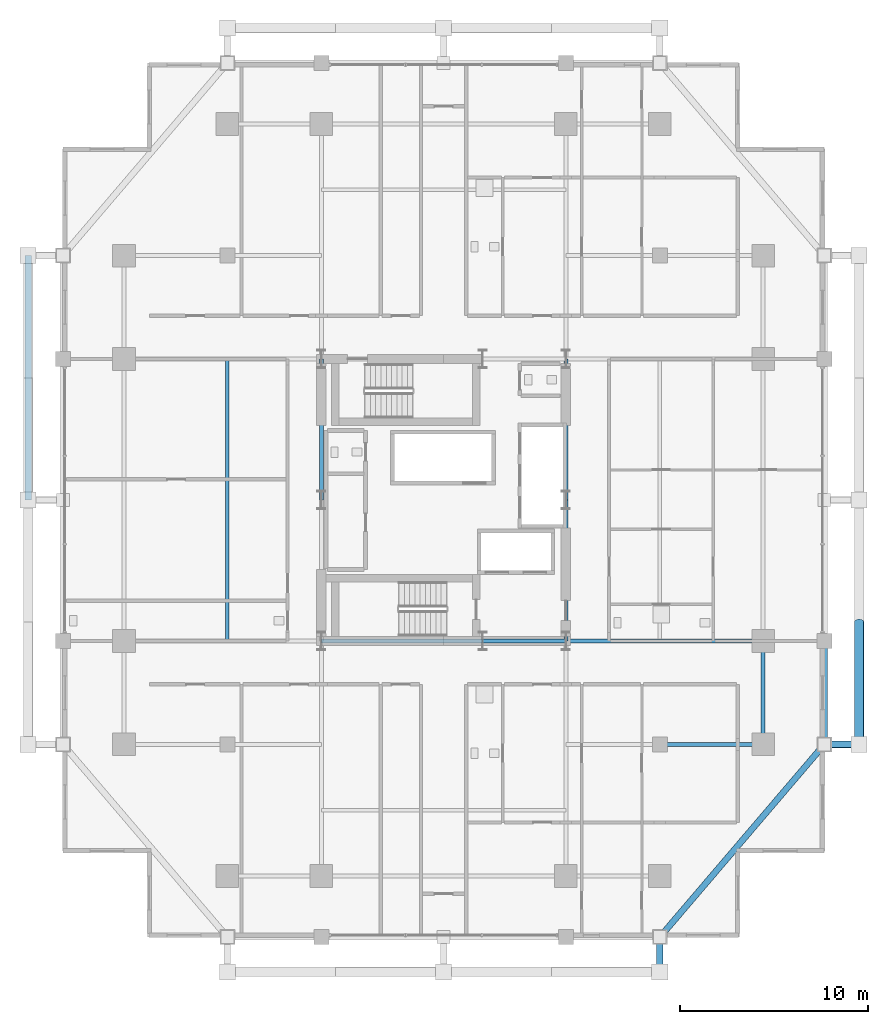
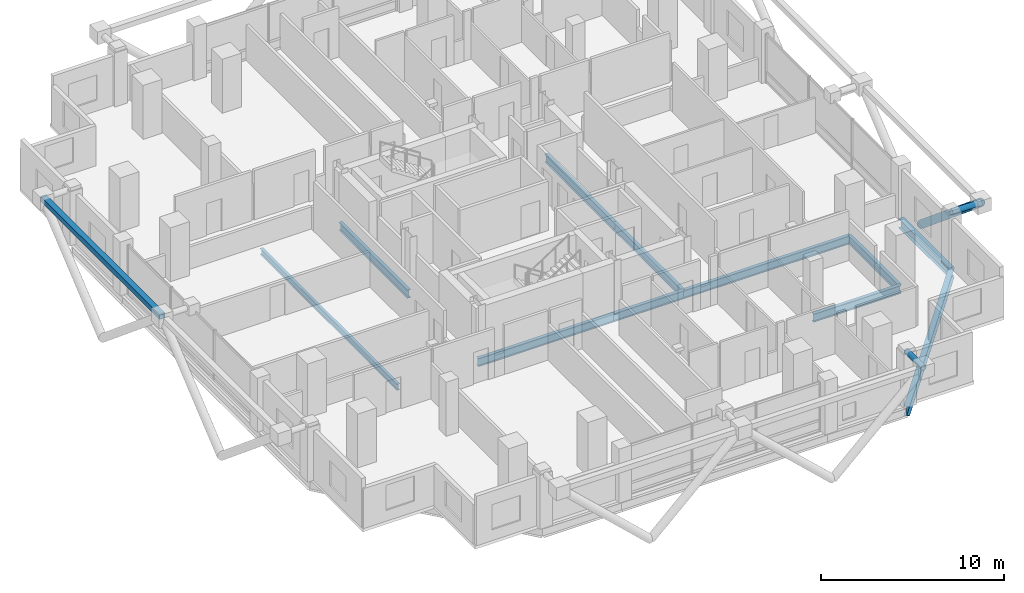
# One storey, part 8 of 25: 11 beams, 4 members.
"""IFC4 building model written with IfcOpenShell, lengths in metres."""

from ifc_helpers import new_model, si_unit, direction, frame, origin, origin_2d, place, context, subcontext, project, spatial, hollow_rectangle, hollow_circle, i_section, extrude, material, material_profile, profile_set, type_object, element, save


model = new_model("IFC4")

# Units and contexts
model_context = context("Model", 3, precision=1e-05, world=origin(), true_north=direction((0.0, 1.0)))
body_context = subcontext(model_context, "Body", "Model", "MODEL_VIEW")
ifc_project = project(units=[si_unit("LENGTHUNIT", "METRE"), si_unit("AREAUNIT", "SQUARE_METRE"), si_unit("VOLUMEUNIT", "CUBIC_METRE"), si_unit("PLANEANGLEUNIT", "RADIAN"), si_unit("MASSUNIT", "GRAM", prefix="KILO")], contexts=[model_context])

# Site, building, storey
site_placement = place(None, origin())
site = spatial("IfcSite", under=ifc_project, at=site_placement, CompositionType="ELEMENT")
building_placement = place(site_placement, origin())
building = spatial("IfcBuilding", under=site, at=building_placement, Name="Barlavira Tower and Art Museum", CompositionType="ELEMENT")
storey_placement = place(building_placement, frame((0.0, 0.0, 162.0)))
storey = spatial("IfcBuildingStorey", under=building, at=storey_placement, Name="L41", CompositionType="ELEMENT", Elevation=162.0)

# Members
ifc_material = material(Name="Steel S355", Category="steel")
ifc_material_profile_1 = material_profile(ifc_material, hollow_circle(Radius=0.25390625, WallThickness=0.022216796875, at=origin_2d()), Name="CHS 508.0x22.2")
ifc_profile_set_1 = profile_set([ifc_material_profile_1], Name="Steel S355")
member_type_1 = type_object("IfcMemberType", Name="Pale-Metal Exoskeleton Diagrid Tube CHS 508x22 Steel S355", PredefinedType="BRACE", material=ifc_profile_set_1)
member_1_placement = place(storey_placement, frame((22.10009765625, -6.5, -1.919921875), z_axis=(0.0, -0.769196053329, 0.639012857104), x_axis=(1.0, 0.0, 0.0)))
element("IfcMember", 1, at=member_1_placement, inside=storey, type_object=member_type_1, Name="L41 Exoskeleton Diagrid Tube E", PredefinedType="BRACE", context=body_context, shape_type="SweptSolid", body=[
    extrude(hollow_circle(Radius=0.25390625, WallThickness=0.022216796875, at=origin_2d()), origin(), (0.0, 0.0, 1.0), 8.450439453125),
])
ifc_material_profile_2 = material_profile(ifc_material, hollow_rectangle(XDim=0.35009765625, YDim=0.35009765625, WallThickness=0.02001953125, at=origin_2d()), Name="SHS 350x350x20.0")
ifc_profile_set_2 = profile_set([ifc_material_profile_2], Name="Steel S355")
member_type_2 = type_object("IfcMemberType", Name="Pale-Metal Exoskeleton Ring Strut SHS 350x350x20 Steel S355", PredefinedType="STRUT", material=ifc_profile_set_2)
member_2_placement = place(storey_placement, frame((-22.10009765625, 0.0, 3.47998046875), z_axis=(0.0, 1.0, 0.0), x_axis=(-1.0, 0.0, 0.0)))
element("IfcMember", 2, at=member_2_placement, inside=storey, type_object=member_type_2, Name="L41 Exoskeleton Top Ring Strut W", PredefinedType="STRUT", context=body_context, shape_type="SweptSolid", body=[
    extrude(hollow_rectangle(XDim=0.35009765625, YDim=0.35009765625, WallThickness=0.02001953125, at=origin_2d()), origin(), (0.0, 0.0, 1.0), 13.0),
])
ifc_material_profile_3 = material_profile(ifc_material, hollow_circle(Radius=0.177734375, WallThickness=0.01611328125, at=origin_2d()), Name="CHS 355.6x16.0")
ifc_profile_set_3 = profile_set([ifc_material_profile_3], Name="Steel S355")
member_type_3 = type_object("IfcMemberType", Name="Pale-Metal Exoskeleton Tie Strut CHS 356x16 Steel S355", PredefinedType="STRUT", material=ifc_profile_set_3)
for number, where, z_axis, x_axis, name in (
    (3, (11.5, -25.10009765625, 3.47998046875), (0.0, 1.0, 0.0), (-1.0, 0.0, 0.0), "L41 Exoskeleton Top Tie Strut S3"),
    (4, (22.10009765625, -13.0, 3.47998046875), (-1.0, 0.0, 0.0), (0.0, -1.0, 0.0), "L41 Exoskeleton Top Tie Strut E1"),
):
    element("IfcMember", number, at=place(storey_placement, frame(where, z_axis=z_axis, x_axis=x_axis)), inside=storey, type_object=member_type_3, Name=name, PredefinedType="STRUT", context=body_context, shape_type="SweptSolid", body=[
        extrude(hollow_circle(Radius=0.177734375, WallThickness=0.01611328125, at=origin_2d()), origin(), (0.0, 0.0, 1.0), 1.85009765625),
    ])

# Beams
ifc_material_profile_4 = material_profile(ifc_material, i_section(OverallWidth=0.327880859375, OverallDepth=0.62890625, WebThickness=0.013916015625, FlangeThickness=0.021484375, at=origin_2d()), Name="W610x174.0")
ifc_profile_set_4 = profile_set([ifc_material_profile_4], Name="Steel S355")
beam_type_1 = type_object("IfcBeamType", Name="Perimeter Spandrel Edge Beam W610x174 Steel S355", PredefinedType="SPANDREL", material=ifc_profile_set_4)
beam_1_placement = place(storey_placement, frame((11.5, -23.25, -0.534423828125), z_axis=(0.649262379928, 0.760564502202, 0.0), x_axis=(-0.760564502202, 0.649262379928, 0.0)))
element("IfcBeam", 5, at=beam_1_placement, inside=storey, type_object=beam_type_1, Name="L41 Spandrel 4", PredefinedType="SPANDREL", context=body_context, shape_type="SweptSolid", body=[
    extrude(i_section(OverallWidth=0.327880859375, OverallDepth=0.62890625, WebThickness=0.013916015625, FlangeThickness=0.021484375, at=origin_2d()), origin(), (0.0, 0.0, 1.0), 13.476806640625),
])
beam_2_placement = place(storey_placement, frame((20.25, -13.0, -0.534423828125), z_axis=(0.0, 1.0, 0.0), x_axis=(-1.0, 0.0, 0.0)))
element("IfcBeam", 6, at=beam_2_placement, inside=storey, type_object=beam_type_1, Name="L41 Spandrel 5", PredefinedType="SPANDREL", context=body_context, shape_type="SweptSolid", body=[
    extrude(i_section(OverallWidth=0.327880859375, OverallDepth=0.62890625, WebThickness=0.013916015625, FlangeThickness=0.021484375, at=origin_2d()), origin(), (0.0, 0.0, 1.0), 5.5),
])
ifc_material_profile_5 = material_profile(ifc_material, i_section(OverallWidth=0.214111328125, OverallDepth=0.549072265625, WebThickness=0.0146484375, FlangeThickness=0.023681640625, at=origin_2d()), Name="W530x138.0")
ifc_profile_set_5 = profile_set([ifc_material_profile_5], Name="Steel S355")
beam_type_2 = type_object("IfcBeamType", Name="Zone 1 Primary Floor Girder W530x138 Steel S355", PredefinedType="BEAM", material=ifc_profile_set_5)
beam_3_placement = place(storey_placement, frame((-6.5, -7.5, -0.494384765625), z_axis=(1.0, 0.0, 0.0), x_axis=(0.0, 1.0, 0.0)))
element("IfcBeam", 7, at=beam_3_placement, inside=storey, type_object=beam_type_2, Name="L41 Girder C-S1", PredefinedType="BEAM", context=body_context, shape_type="SweptSolid", body=[
    extrude(i_section(OverallWidth=0.214111328125, OverallDepth=0.549072265625, WebThickness=0.0146484375, FlangeThickness=0.023681640625, at=origin_2d()), origin(), (0.0, 0.0, 1.0), 8.580078125),
])
beam_4_placement = place(storey_placement, frame((2.080078125, -7.5, -0.494384765625), z_axis=(1.0, 0.0, 0.0), x_axis=(0.0, 1.0, 0.0)))
element("IfcBeam", 8, at=beam_4_placement, inside=storey, type_object=beam_type_2, Name="L41 Girder C-S2", PredefinedType="BEAM", context=body_context, shape_type="SweptSolid", body=[
    extrude(i_section(OverallWidth=0.214111328125, OverallDepth=0.549072265625, WebThickness=0.0146484375, FlangeThickness=0.023681640625, at=origin_2d()), origin(), (0.0, 0.0, 1.0), 4.419921875),
])
for number, where, z_axis, x_axis, name in (
    (9, (-6.5, 0.0, -0.494384765625), (0.0, 1.0, 0.0), (-1.0, 0.0, 0.0), "L41 Girder C-W2"),
    (10, (6.5, -7.5, -0.494384765625), (0.0, 1.0, 0.0), (-1.0, 0.0, 0.0), "L41 Girder C-E1"),
    (11, (6.5, 0.0, -0.494384765625), (0.0, 1.0, 0.0), (-1.0, 0.0, 0.0), "L41 Girder C-E2"),
):
    element("IfcBeam", number, at=place(storey_placement, frame(where, z_axis=z_axis, x_axis=x_axis)), inside=storey, type_object=beam_type_2, Name=name, PredefinedType="BEAM", context=body_context, shape_type="SweptSolid", body=[
        extrude(i_section(OverallWidth=0.214111328125, OverallDepth=0.549072265625, WebThickness=0.0146484375, FlangeThickness=0.023681640625, at=origin_2d()), origin(), (0.0, 0.0, 1.0), 7.5),
    ])
beam_5_placement = place(storey_placement, frame((17.0, -13.0, -0.494384765625), z_axis=(0.0, 1.0, 0.0), x_axis=(-1.0, 0.0, 0.0)))
element("IfcBeam", 12, at=beam_5_placement, inside=storey, type_object=beam_type_2, Name="L41 Girder M-E1", PredefinedType="BEAM", context=body_context, shape_type="SweptSolid", body=[
    extrude(i_section(OverallWidth=0.214111328125, OverallDepth=0.549072265625, WebThickness=0.0146484375, FlangeThickness=0.023681640625, at=origin_2d()), origin(), (0.0, 0.0, 1.0), 5.5),
])
beam_6_placement = place(storey_placement, frame((6.5, -7.5, -0.494384765625), z_axis=(1.0, 0.0, 0.0), x_axis=(0.0, 1.0, 0.0)))
element("IfcBeam", 13, at=beam_6_placement, inside=storey, type_object=beam_type_2, Name="L41 Girder R-E1", PredefinedType="BEAM", context=body_context, shape_type="SweptSolid", body=[
    extrude(i_section(OverallWidth=0.214111328125, OverallDepth=0.549072265625, WebThickness=0.0146484375, FlangeThickness=0.023681640625, at=origin_2d()), origin(), (0.0, 0.0, 1.0), 10.5),
])
beam_7_placement = place(storey_placement, frame((11.5, -13.0, -0.494384765625), z_axis=(1.0, 0.0, 0.0), x_axis=(0.0, 1.0, 0.0)))
element("IfcBeam", 14, at=beam_7_placement, inside=storey, type_object=beam_type_2, Name="L41 Girder I-S4", PredefinedType="BEAM", context=body_context, shape_type="SweptSolid", body=[
    extrude(i_section(OverallWidth=0.214111328125, OverallDepth=0.549072265625, WebThickness=0.0146484375, FlangeThickness=0.023681640625, at=origin_2d()), origin(), (0.0, 0.0, 1.0), 5.5),
])
ifc_material_profile_6 = material_profile(ifc_material, i_section(OverallWidth=0.179931640625, OverallDepth=0.4130859375, WebThickness=0.009765625, FlangeThickness=0.01611328125, at=origin_2d()), Name="W410x75.0")
ifc_profile_set_6 = profile_set([ifc_material_profile_6], Name="Steel S355")
beam_type_3 = type_object("IfcBeamType", Name="Zone 2 Composite Floor Joist W410x75 Steel S355", PredefinedType="JOIST", material=ifc_profile_set_6)
beam_8_placement = place(storey_placement, frame((-11.5, -7.5, -0.426513671875), z_axis=(0.0, 1.0, 0.0), x_axis=(-1.0, 0.0, 0.0)))
element("IfcBeam", 15, at=beam_8_placement, inside=storey, type_object=beam_type_3, Name="L41 Joist W1", PredefinedType="JOIST", context=body_context, shape_type="SweptSolid", body=[
    extrude(i_section(OverallWidth=0.179931640625, OverallDepth=0.4130859375, WebThickness=0.009765625, FlangeThickness=0.01611328125, at=origin_2d()), origin(), (0.0, 0.0, 1.0), 15.0),
])

save(model, "model.ifc")
